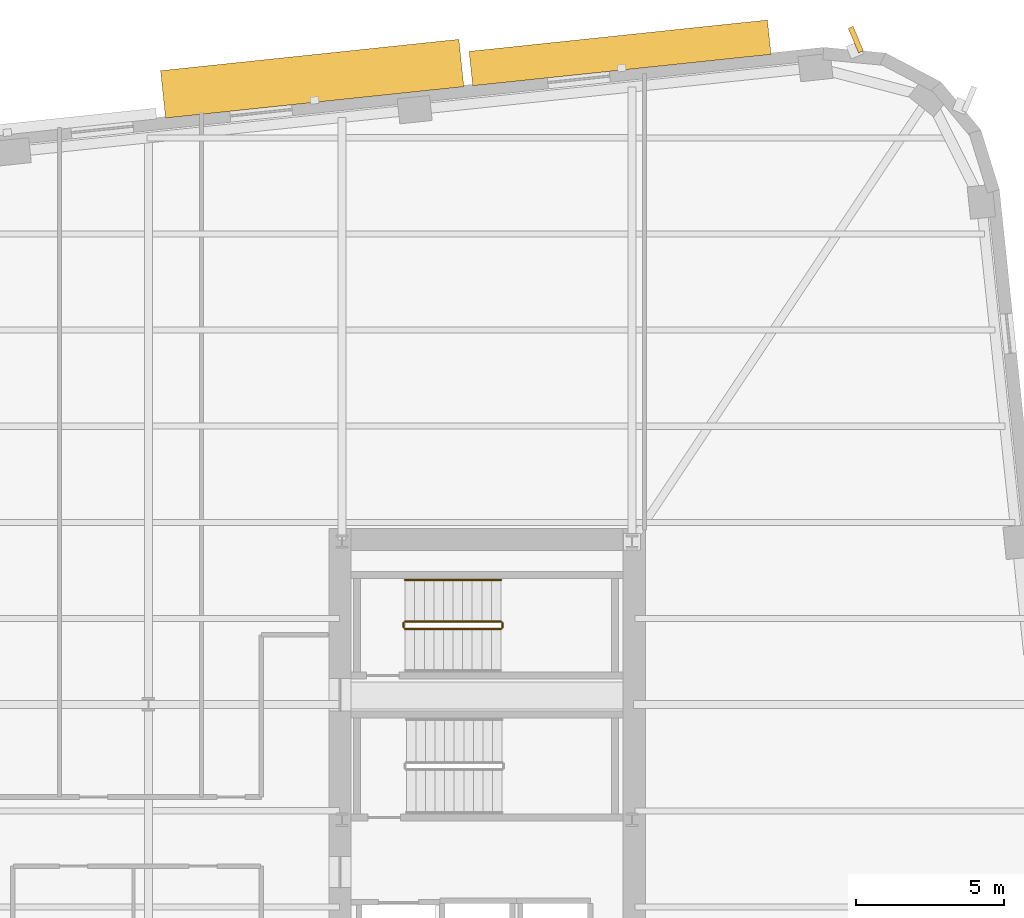
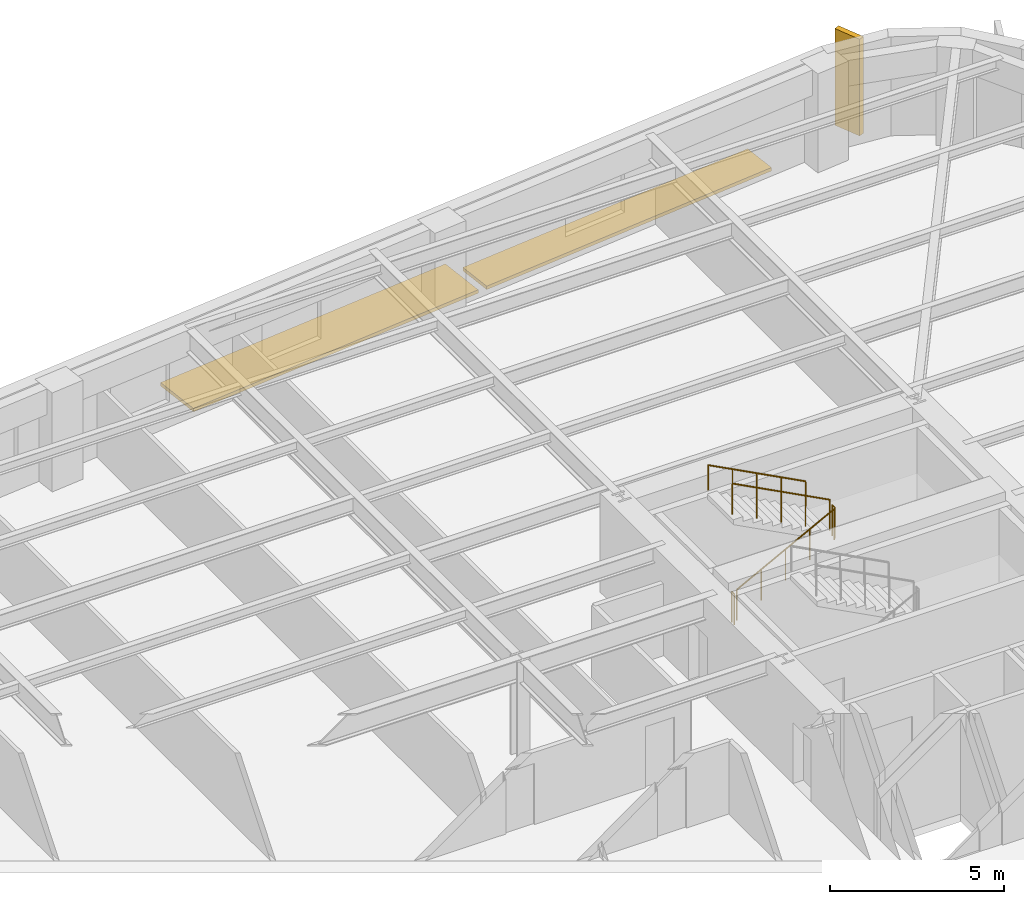
# One storey, part 14 of 15: 5 railings, 3 shading devices.
"""IFC4 building model written with IfcOpenShell, lengths in metres."""

from ifc_helpers import new_model, si_unit, direction, frame, origin, origin_2d, place, context, subcontext, project, spatial, rectangle, circle, extrude, material, type_object, element, save


model = new_model("IFC4")

# Units and contexts
model_context = context("Model", 3, precision=1e-05, world=origin(), true_north=direction((0.0, 1.0)))
body_context = subcontext(model_context, "Body", "Model", "MODEL_VIEW")
ifc_project = project(units=[si_unit("LENGTHUNIT", "METRE"), si_unit("AREAUNIT", "SQUARE_METRE"), si_unit("VOLUMEUNIT", "CUBIC_METRE"), si_unit("PLANEANGLEUNIT", "RADIAN"), si_unit("MASSUNIT", "GRAM", prefix="KILO")], contexts=[model_context])

# Site, building, storey
site_placement = place(None, origin())
site = spatial("IfcSite", under=ifc_project, at=site_placement, CompositionType="ELEMENT")
building_placement = place(site_placement, origin())
building = spatial("IfcBuilding", under=site, at=building_placement, Name="Kolvaren Arena Tower", CompositionType="ELEMENT")
storey_placement = place(building_placement, frame((0.0, 0.0, 107.199951171875)))
storey = spatial("IfcBuildingStorey", under=building, at=storey_placement, Name="L24", CompositionType="ELEMENT", Elevation=107.199951171875)

# Railings
ifc_material_1 = material(Name="Painted galvanized steel", Category="steel")
railing_type_1 = type_object("IfcRailingType", Name="GUARD-ST-110", PredefinedType="GUARDRAIL", material=ifc_material_1)
railing_1_placement = place(storey_placement, frame((52.679931640625, 36.39990234375, 0.17041015625)))
element("IfcRailing", 1, at=railing_1_placement, inside=storey, type_object=railing_type_1, Name="L24 ST-E2 stair guard 1", PredefinedType="GUARDRAIL", context=body_context, shape_type="SweptSolid", body=[
    extrude(circle(Radius=0.02392578125, at=origin_2d()), frame((0.0, 0.0, 1.076171875), z_axis=(0.884993431791, 0.0, 0.465603506952), x_axis=(0.0, 1.0, 0.0)), (0.0, 0.0, 1.0), 3.6611328125),
    extrude(circle(Radius=0.02099609375, at=origin_2d()), origin(), (0.0, 0.0, 1.0), 1.052001953125),
    extrude(circle(Radius=0.02099609375, at=origin_2d()), frame((0.81005859375, 0.0, 0.42626953125)), (0.0, 0.0, 1.0), 1.052001953125),
    extrude(circle(Radius=0.02099609375, at=origin_2d()), frame((1.6201171875, 0.0, 0.852294921875)), (0.0, 0.0, 1.0), 1.052001953125),
    extrude(circle(Radius=0.02099609375, at=origin_2d()), frame((2.429931640625, 0.0, 1.2783203125)), (0.0, 0.0, 1.0), 1.052001953125),
    extrude(circle(Radius=0.02099609375, at=origin_2d()), frame((3.239990234375, 0.0, 1.70458984375)), (0.0, 0.0, 1.0), 1.052001953125),
])
railing_2_placement = place(storey_placement, frame((55.969970703125, 36.449951171875, 1.875)))
element("IfcRailing", 2, at=railing_2_placement, inside=storey, type_object=railing_type_1, Name="L24 ST-E2 stair guard 2", PredefinedType="GUARDRAIL", context=body_context, shape_type="SweptSolid", body=[
    extrude(circle(Radius=0.02392578125, at=origin_2d()), frame((0.0, 0.0, 1.076171875), z_axis=(0.0, 1.0, 0.0), x_axis=(-1.0, 0.0, 0.0)), (0.0, 0.0, 1.0), 0.150146484375),
    extrude(circle(Radius=0.02099609375, at=origin_2d()), origin(), (0.0, 0.0, 1.0), 1.052001953125),
    extrude(circle(Radius=0.02099609375, at=origin_2d()), frame((0.0, 0.150146484375, 0.0)), (0.0, 0.0, 1.0), 1.052001953125),
])
railing_3_placement = place(storey_placement, frame((55.919921875, 36.64990234375, 2.04541015625)))
element("IfcRailing", 3, at=railing_3_placement, inside=storey, type_object=railing_type_1, Name="L24 ST-E2 stair guard 3", PredefinedType="GUARDRAIL", context=body_context, shape_type="SweptSolid", body=[
    extrude(circle(Radius=0.02392578125, at=origin_2d()), frame((0.0, 0.0, 1.076171875), z_axis=(-0.884993431791, 0.0, 0.465603506952), x_axis=(0.0, -1.0, 0.0)), (0.0, 0.0, 1.0), 3.6611328125),
    extrude(circle(Radius=0.02099609375, at=origin_2d()), origin(), (0.0, 0.0, 1.0), 1.052001953125),
    extrude(circle(Radius=0.02099609375, at=origin_2d()), frame((-0.81005859375, 0.0, 0.42626953125)), (0.0, 0.0, 1.0), 1.052001953125),
    extrude(circle(Radius=0.02099609375, at=origin_2d()), frame((-1.6201171875, 0.0, 0.852294921875)), (0.0, 0.0, 1.0), 1.052001953125),
    extrude(circle(Radius=0.02099609375, at=origin_2d()), frame((-2.429931640625, 0.0, 1.2783203125)), (0.0, 0.0, 1.0), 1.052001953125),
    extrude(circle(Radius=0.02099609375, at=origin_2d()), frame((-3.239990234375, 0.0, 1.70458984375)), (0.0, 0.0, 1.0), 1.052001953125),
])
railing_4_placement = place(storey_placement, frame((52.6298828125, 36.449951171875, 0.0)))
element("IfcRailing", 4, at=railing_4_placement, inside=storey, type_object=railing_type_1, Name="L24 ST-E2 stair guard 4", PredefinedType="GUARDRAIL", context=body_context, shape_type="SweptSolid", body=[
    extrude(circle(Radius=0.02392578125, at=origin_2d()), frame((0.0, 0.0, 1.076171875), z_axis=(0.0, 1.0, 0.0), x_axis=(-1.0, 0.0, 0.0)), (0.0, 0.0, 1.0), 0.150146484375),
    extrude(circle(Radius=0.02099609375, at=origin_2d()), origin(), (0.0, 0.0, 1.0), 1.052001953125),
    extrude(circle(Radius=0.02099609375, at=origin_2d()), frame((0.0, 0.150146484375, 0.0)), (0.0, 0.0, 1.0), 1.052001953125),
])
ifc_material_2 = material(Name="Brushed stainless steel handrail", Category="steel")
railing_type_2 = type_object("IfcRailingType", Name="HRAIL-900", PredefinedType="HANDRAIL", material=ifc_material_2)
railing_5_placement = place(storey_placement, frame((55.919921875, 38.050048828125, 2.04541015625)))
element("IfcRailing", 5, at=railing_5_placement, inside=storey, type_object=railing_type_2, Name="L24 ST-E2 stair handrail 2", PredefinedType="HANDRAIL", context=body_context, shape_type="SweptSolid", body=[
    extrude(circle(Radius=0.02392578125, at=origin_2d()), frame((0.0, 0.0, 0.8759765625), z_axis=(-0.884993431791, 0.0, 0.465603506952), x_axis=(0.0, -1.0, 0.0)), (0.0, 0.0, 1.0), 3.6611328125),
    extrude(circle(Radius=0.02099609375, at=origin_2d()), origin(), (0.0, 0.0, 1.0), 0.851806640625),
    extrude(circle(Radius=0.02099609375, at=origin_2d()), frame((-0.81005859375, 0.0, 0.42626953125)), (0.0, 0.0, 1.0), 0.851806640625),
    extrude(circle(Radius=0.02099609375, at=origin_2d()), frame((-1.6201171875, 0.0, 0.852294921875)), (0.0, 0.0, 1.0), 0.851806640625),
    extrude(circle(Radius=0.02099609375, at=origin_2d()), frame((-2.429931640625, 0.0, 1.2783203125)), (0.0, 0.0, 1.0), 0.851806640625),
    extrude(circle(Radius=0.02099609375, at=origin_2d()), frame((-3.239990234375, 0.0, 1.70458984375)), (0.0, 0.0, 1.0), 0.851806640625),
])

# Shading devices
ifc_material_3 = material(Name="Precast architectural concrete C50/60 rib fin", Category="concrete")
shading_device_type_1 = type_object("IfcShadingDeviceType", Name="SHAD-FIN-28", PredefinedType="USERDEFINED", material=ifc_material_3)
shading_device_1_placement = place(storey_placement, frame((67.916259765625, 56.320556640625, 0.02001953125), z_axis=(0.0, 0.0, 1.0), x_axis=(-0.386706132999, 0.922202996472, 0.0)))
element("IfcShadingDevice", 6, at=shading_device_1_placement, inside=storey, type_object=shading_device_type_1, Name="Precast 28-Deg Corner Rib Fin (L24)", ObjectType="FIN", PredefinedType="USERDEFINED", context=body_context, shape_type="SweptSolid", body=[
    extrude(rectangle(XDim=0.89990234375, YDim=0.179931640625, at=origin_2d()), origin(), (0.0, 0.0, 1.0), 3.39990234375),
])
ifc_material_4 = material(Name="Architectural precast GFRC and anodised aluminium sunshade", Category="concrete")
shading_device_type_2 = type_object("IfcShadingDeviceType", Name="SHAD-SINE-A", PredefinedType="USERDEFINED", material=ifc_material_4)
shading_device_2_placement = place(storey_placement, frame((59.946044921875, 55.87158203125, -0.139892578125), z_axis=(0.0, 0.0, 1.0), x_axis=(0.994522077803, 0.104526727499, 0.0)))
element("IfcShadingDevice", 7, at=shading_device_2_placement, inside=storey, type_object=shading_device_type_2, Name="Sinusoidal Slab-Edge Sunshade Louvre (L24)", ObjectType="LOUVRE", PredefinedType="USERDEFINED", context=body_context, shape_type="SweptSolid", body=[
    extrude(rectangle(XDim=10.139892578125, YDim=1.168701171875, at=origin_2d()), origin(), (0.0, 0.0, 1.0), 0.1201171875),
])
shading_device_type_3 = type_object("IfcShadingDeviceType", Name="SHAD-SINE-B", PredefinedType="JALOUSIE", material=ifc_material_4)
shading_device_3_placement = place(storey_placement, frame((49.5400390625, 54.99951171875, -0.139892578125), z_axis=(0.0, 0.0, 1.0), x_axis=(0.994522077803, 0.104526727499, 0.0)))
element("IfcShadingDevice", 8, at=shading_device_3_placement, inside=storey, type_object=shading_device_type_3, Name="Sinusoidal Slab-Edge Sunshade Louvre (L24)", PredefinedType="JALOUSIE", context=body_context, shape_type="SweptSolid", body=[
    extrude(rectangle(XDim=10.139892578125, YDim=1.609375, at=origin_2d()), origin(), (0.0, 0.0, 1.0), 0.1201171875),
])

save(model, "model.ifc")
